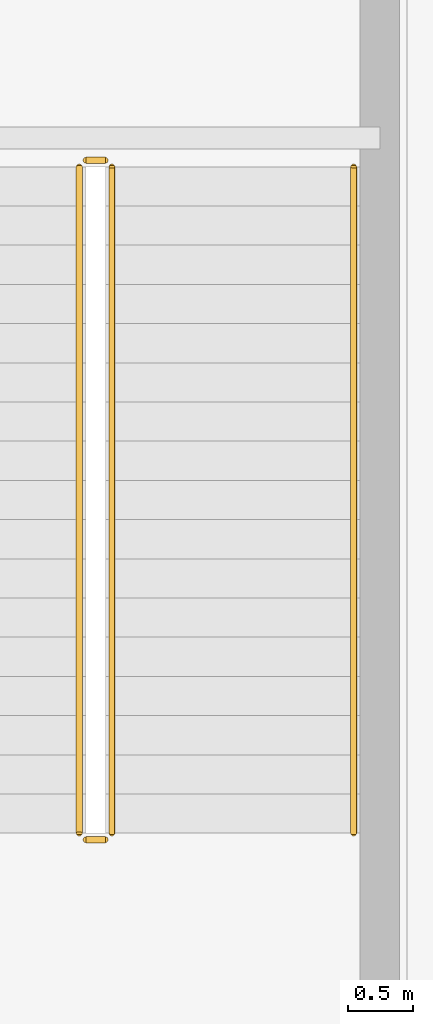
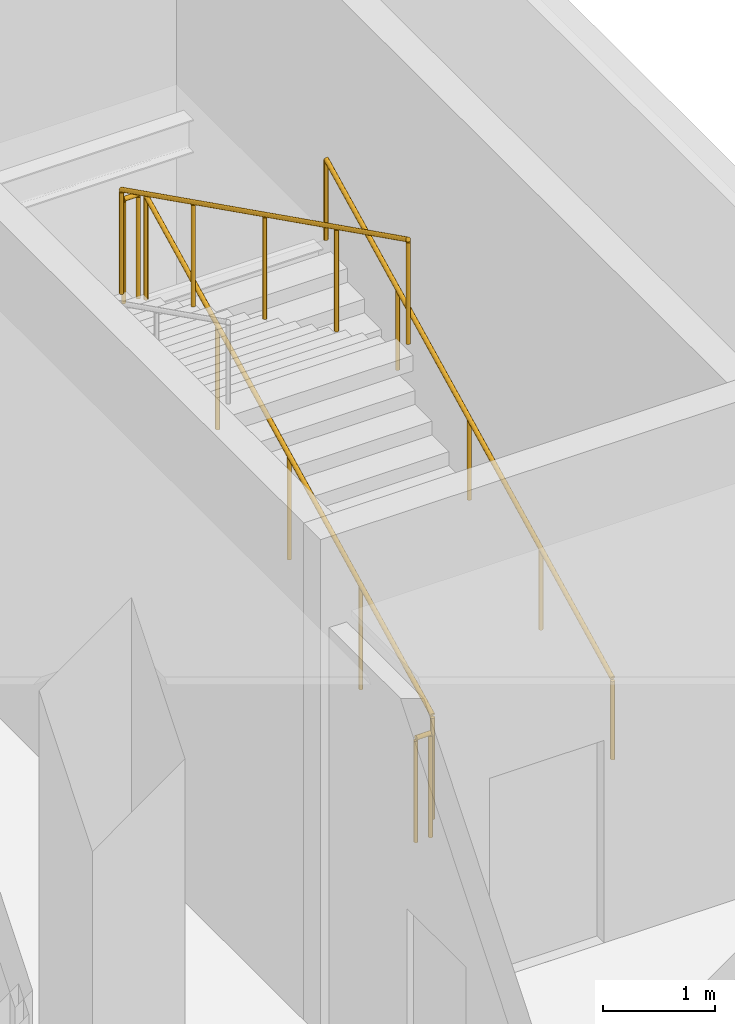
# One storey, part 42 of 43: 5 railings.
"""IFC4 building model written with IfcOpenShell, lengths in metres."""

from ifc_helpers import new_model, si_unit, direction, frame, origin, origin_2d, place, context, subcontext, project, spatial, circle, extrude, material, type_object, element, save


model = new_model("IFC4")

# Units and contexts
model_context = context("Model", 3, precision=1e-05, world=origin(), true_north=direction((0.0, 1.0)))
body_context = subcontext(model_context, "Body", "Model", "MODEL_VIEW")
ifc_project = project(units=[si_unit("LENGTHUNIT", "METRE"), si_unit("AREAUNIT", "SQUARE_METRE"), si_unit("VOLUMEUNIT", "CUBIC_METRE"), si_unit("PLANEANGLEUNIT", "RADIAN"), si_unit("MASSUNIT", "GRAM", prefix="KILO")], contexts=[model_context])

# Site, building, storey
site_placement = place(None, origin())
site = spatial("IfcSite", under=ifc_project, at=site_placement, CompositionType="ELEMENT")
building_placement = place(site_placement, origin())
building = spatial("IfcBuilding", under=site, at=building_placement, Name="Punatoya Terracotta Tower", CompositionType="ELEMENT")
storey_placement = place(building_placement, frame((0.0, 0.0, 6.0)))
storey = spatial("IfcBuildingStorey", under=building, at=storey_placement, Name="L01", CompositionType="ELEMENT", Elevation=6.0)

# Railings
ifc_material = material(Name="Steel S355", Category="steel")
railing_type_1 = type_object("IfcRailingType", Name="RLG-GRD-1150", PredefinedType="GUARDRAIL", material=ifc_material)
railing_1_placement = place(storey_placement, frame((32.64990234375, -6.85009765625, 0.14990234375)))
element("IfcRailing", 1, at=railing_1_placement, inside=storey, type_object=railing_type_1, Name="L01 ST-P2 stair guard 1", PredefinedType="GUARDRAIL", context=body_context, shape_type="SweptSolid", body=[
    extrude(circle(Radius=0.02392578125, at=origin_2d()), frame((0.0, 0.0, 1.1259765625), z_axis=(0.0, 0.894427191, 0.4472135955), x_axis=(-1.0, 0.0, 0.0)), (0.0, 0.0, 1.0), 5.7021484375),
    extrude(circle(Radius=0.02099609375, at=origin_2d()), origin(), (0.0, 0.0, 1.0), 1.101806640625),
    extrude(circle(Radius=0.02099609375, at=origin_2d()), frame((0.0, 1.27490234375, 0.637451171875)), (0.0, 0.0, 1.0), 1.101806640625),
    extrude(circle(Radius=0.02099609375, at=origin_2d()), frame((0.0, 2.550048828125, 1.27490234375)), (0.0, 0.0, 1.0), 1.101806640625),
    extrude(circle(Radius=0.02099609375, at=origin_2d()), frame((0.0, 3.8251953125, 1.91259765625)), (0.0, 0.0, 1.0), 1.101806640625),
    extrude(circle(Radius=0.02099609375, at=origin_2d()), frame((0.0, 5.10009765625, 2.550048828125)), (0.0, 0.0, 1.0), 1.101806640625),
])
railing_2_placement = place(storey_placement, frame((32.60009765625, -1.699951171875, 2.699951171875)))
element("IfcRailing", 2, at=railing_2_placement, inside=storey, type_object=railing_type_1, Name="L01 ST-P2 stair guard 2", PredefinedType="GUARDRAIL", context=body_context, shape_type="SweptSolid", body=[
    extrude(circle(Radius=0.02392578125, at=origin_2d()), frame((0.0, 0.0, 1.1259765625), z_axis=(-1.0, 0.0, 0.0), x_axis=(0.0, -1.0, 0.0)), (0.0, 0.0, 1.0), 0.150146484375),
    extrude(circle(Radius=0.02099609375, at=origin_2d()), origin(), (0.0, 0.0, 1.0), 1.101806640625),
    extrude(circle(Radius=0.02099609375, at=origin_2d()), frame((-0.150146484375, 0.0, 0.0)), (0.0, 0.0, 1.0), 1.101806640625),
])
railing_3_placement = place(storey_placement, frame((32.39990234375, -1.75, 2.85009765625)))
element("IfcRailing", 3, at=railing_3_placement, inside=storey, type_object=railing_type_1, Name="L01 ST-P2 stair guard 3", PredefinedType="GUARDRAIL", context=body_context, shape_type="SweptSolid", body=[
    extrude(circle(Radius=0.02392578125, at=origin_2d()), frame((0.0, 0.0, 1.1259765625), z_axis=(0.0, -0.89444431709, 0.44717934168), x_axis=(1.0, 0.0, 0.0)), (0.0, 0.0, 1.0), 5.701904296875),
    extrude(circle(Radius=0.02099609375, at=origin_2d()), origin(), (0.0, 0.0, 1.0), 1.101806640625),
    extrude(circle(Radius=0.02099609375, at=origin_2d()), frame((0.0, -1.27490234375, 0.637451171875)), (0.0, 0.0, 1.0), 1.101806640625),
    extrude(circle(Radius=0.02099609375, at=origin_2d()), frame((0.0, -2.550048828125, 1.27490234375)), (0.0, 0.0, 1.0), 1.101806640625),
    extrude(circle(Radius=0.02099609375, at=origin_2d()), frame((0.0, -3.8251953125, 1.912353515625)), (0.0, 0.0, 1.0), 1.101806640625),
    extrude(circle(Radius=0.02099609375, at=origin_2d()), frame((0.0, -5.10009765625, 2.5498046875)), (0.0, 0.0, 1.0), 1.101806640625),
])
railing_4_placement = place(storey_placement, frame((32.60009765625, -6.89990234375, 0.0)))
element("IfcRailing", 4, at=railing_4_placement, inside=storey, type_object=railing_type_1, Name="L01 ST-P2 stair guard 4", PredefinedType="GUARDRAIL", context=body_context, shape_type="SweptSolid", body=[
    extrude(circle(Radius=0.02392578125, at=origin_2d()), frame((0.0, 0.0, 1.1259765625), z_axis=(-1.0, 0.0, 0.0), x_axis=(0.0, -1.0, 0.0)), (0.0, 0.0, 1.0), 0.150146484375),
    extrude(circle(Radius=0.02099609375, at=origin_2d()), origin(), (0.0, 0.0, 1.0), 1.101806640625),
    extrude(circle(Radius=0.02099609375, at=origin_2d()), frame((-0.150146484375, 0.0, 0.0)), (0.0, 0.0, 1.0), 1.101806640625),
])
railing_type_2 = type_object("IfcRailingType", Name="RLG-HND-900", PredefinedType="HANDRAIL", material=ifc_material)
railing_5_placement = place(storey_placement, frame((34.5, -6.85009765625, 0.14990234375)))
element("IfcRailing", 5, at=railing_5_placement, inside=storey, type_object=railing_type_2, Name="L01 ST-P2 stair handrail 1", PredefinedType="HANDRAIL", context=body_context, shape_type="SweptSolid", body=[
    extrude(circle(Radius=0.02392578125, at=origin_2d()), frame((0.0, 0.0, 0.8759765625), z_axis=(0.0, 0.894427191, 0.4472135955), x_axis=(-1.0, 0.0, 0.0)), (0.0, 0.0, 1.0), 5.7021484375),
    extrude(circle(Radius=0.02099609375, at=origin_2d()), origin(), (0.0, 0.0, 1.0), 0.851806640625),
    extrude(circle(Radius=0.02099609375, at=origin_2d()), frame((0.0, 1.27490234375, 0.637451171875)), (0.0, 0.0, 1.0), 0.851806640625),
    extrude(circle(Radius=0.02099609375, at=origin_2d()), frame((0.0, 2.550048828125, 1.27490234375)), (0.0, 0.0, 1.0), 0.851806640625),
    extrude(circle(Radius=0.02099609375, at=origin_2d()), frame((0.0, 3.8251953125, 1.91259765625)), (0.0, 0.0, 1.0), 0.851806640625),
    extrude(circle(Radius=0.02099609375, at=origin_2d()), frame((0.0, 5.10009765625, 2.550048828125)), (0.0, 0.0, 1.0), 0.851806640625),
])

save(model, "model.ifc")
